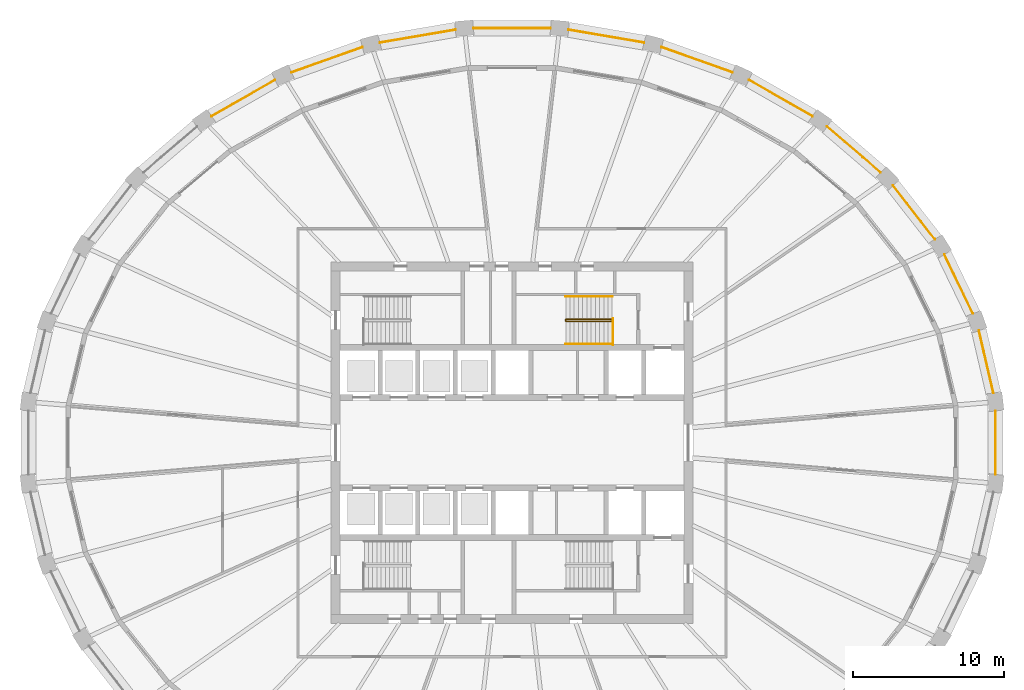
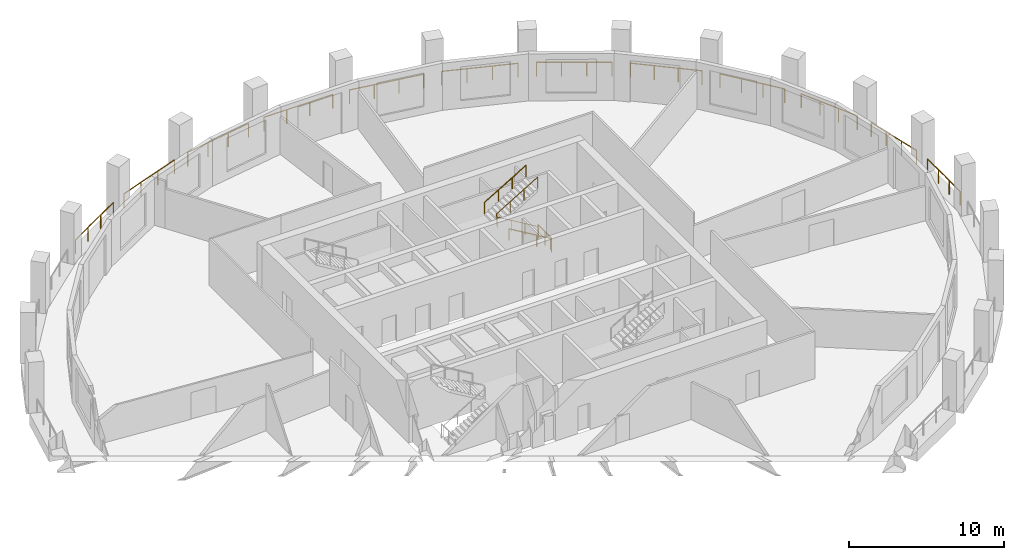
# One storey, part 9 of 10: 16 railings.
"""IFC4 building model written with IfcOpenShell, lengths in metres."""

import ifcopenshell
import ifcopenshell.guid

model = None  # the IFC model being written
_history = None  # IfcOwnerHistory: only IFC2X3 demands one
_inside = {}  # id of a spatial element -> (the spatial element, [elements in it])
_under = {}  # id of a project, library or spatial element -> (it, [spatial elements below it])
_declared = {}  # id of a project -> (the project, [libraries it declares])
_typed = {}  # id of a type object -> (the type object, [elements of that type])
_made_of = {}  # id of a material, layer set ... -> (it, [elements and type objects made of it])


def new_model(schema):
    """Start an empty IFC model of exactly this schema.

    Asked for "IFC4X3", IfcOpenShell would pick the latest addendum, in which some entities
    have other attributes; the version numbers below select the first issue.
    IFC2X3 requires an IfcOwnerHistory on every rooted entity: one is made here for all.
    """
    global model, _history
    if schema == "IFC4X3":
        model = ifcopenshell.file(schema_version=(4, 3, 0, 0))
    else:
        model = ifcopenshell.file(schema=schema)
    _inside.clear()
    _under.clear()
    _declared.clear()
    _typed.clear()
    _made_of.clear()
    _history = None
    if model.schema == "IFC2X3":
        org = make("IfcOrganization", Name="unknown")
        user = make(
            "IfcPersonAndOrganization",
            ThePerson=make("IfcPerson", FamilyName="unknown"),
            TheOrganization=org,
        )
        app = make(
            "IfcApplication",
            ApplicationDeveloper=org,
            Version="unknown",
            ApplicationFullName="unknown",
            ApplicationIdentifier="unknown",
        )
        _history = make(
            "IfcOwnerHistory",
            OwningUser=user,
            OwningApplication=app,
            ChangeAction="ADDED",
            CreationDate=0,
        )
    return model


def make(cls, **values):
    """One entity of the class cls with the attributes given. An attribute that is None is left unset."""
    return model.create_entity(
        cls, **{name: value for name, value in values.items() if value is not None}
    )


def rooted(cls, **values):
    """An entity with a GlobalId (a new one), such as an element, a storey or a relation."""
    return make(cls, GlobalId=ifcopenshell.guid.new(), OwnerHistory=_history, **values)


def si_unit(unit_type, name, prefix=None):
    """IfcSIUnit, for example si_unit("LENGTHUNIT", "METRE", prefix="MILLI")."""
    return make("IfcSIUnit", UnitType=unit_type, Prefix=prefix, Name=name)


def assignment(units):
    """IfcUnitAssignment: the units of a project."""
    return None if units is None else make("IfcUnitAssignment", Units=units)


def point(xyz):
    """IfcCartesianPoint."""
    return None if xyz is None else make("IfcCartesianPoint", Coordinates=xyz)


def direction(xyz):
    """IfcDirection."""
    return None if xyz is None else make("IfcDirection", DirectionRatios=xyz)


def frame(location, z_axis=None, x_axis=None):
    """IfcAxis2Placement3D, a coordinate frame: its origin and axes. An axis left out is left unset."""
    return make(
        "IfcAxis2Placement3D",
        Location=point(location),
        Axis=direction(z_axis),
        RefDirection=direction(x_axis),
    )


def frame_2d(location, x_axis=None):
    """IfcAxis2Placement2D, a coordinate frame in the plane: its origin and x axis."""
    return make(
        "IfcAxis2Placement2D", Location=point(location), RefDirection=direction(x_axis)
    )


def origin():
    """The frame at (0, 0, 0) with its axes left unset."""
    return frame((0.0, 0.0, 0.0))


def origin_2d():
    """The frame at (0, 0) in the plane with its x axis left unset."""
    return frame_2d((0.0, 0.0))


def place(relative_to, where):
    """IfcLocalPlacement: puts the frame where relative to a parent placement (None: the world)."""
    return make(
        "IfcLocalPlacement", PlacementRelTo=relative_to, RelativePlacement=where
    )


def context(
    kind, dimensions, precision=None, world=None, true_north=None, identifier=None
):
    """IfcGeometricRepresentationContext, for example the 3D "Model" context."""
    return make(
        "IfcGeometricRepresentationContext",
        ContextIdentifier=identifier,
        ContextType=kind,
        CoordinateSpaceDimension=dimensions,
        Precision=precision,
        WorldCoordinateSystem=world,
        TrueNorth=true_north,
    )


def subcontext(parent, identifier, kind, view, scale=None):
    """IfcGeometricRepresentationSubContext, for example "Body" below "Model"."""
    return make(
        "IfcGeometricRepresentationSubContext",
        ContextIdentifier=identifier,
        ContextType=kind,
        ParentContext=parent,
        TargetScale=scale,
        TargetView=view,
    )


def project(units=None, contexts=None):
    """IfcProject with its units and contexts."""
    return rooted(
        "IfcProject",
        Name="project",
        RepresentationContexts=contexts,
        UnitsInContext=assignment(units),
    )


def spatial(cls, under=None, at=None, **own):
    """A site, building, storey or space (cls), placed at a placement, below another one or the project."""
    s = rooted(cls, ObjectPlacement=at, **own)
    if under is not None:
        _under.setdefault(under.id(), (under, []))[1].append(s)
    return s


def profile(cls, at=None, kind="AREA", **sizes):
    """A parametric profile (cls). Its sizes go by their IFC names, for example OverallWidth=200.0."""
    return make(cls, ProfileType=kind, Position=at, **sizes)


def circle(**sizes):
    """IfcCircleProfileDef."""
    return profile("IfcCircleProfileDef", **sizes)


def extrude(swept, where, along, depth):
    """IfcExtrudedAreaSolid: the profile swept, set in the frame where, extruded along a direction by depth."""
    return make(
        "IfcExtrudedAreaSolid",
        SweptArea=swept,
        Position=where,
        ExtrudedDirection=direction(along),
        Depth=depth,
    )


def shape(context_of_items, identifier, shape_type, items):
    """IfcShapeRepresentation: the items that make up one representation, for example the "Body"."""
    return make(
        "IfcShapeRepresentation",
        ContextOfItems=context_of_items,
        RepresentationIdentifier=identifier,
        RepresentationType=shape_type,
        Items=items,
    )


def material(Name=None, Category=None):
    """IfcMaterial."""
    return make("IfcMaterial", Name=Name, Category=Category)


def made_of(thing, what):
    """Note that an element or type object is made of a material, layer set ...; save() writes the relation."""
    if what is not None:
        _made_of.setdefault(what.id(), (what, []))[1].append(thing)
    return thing


def type_object(cls, material=None, **own):
    """A type object (cls), such as IfcWallType, which elements share."""
    return made_of(rooted(cls, **own), material)


def element(
    cls,
    number,
    at=None,
    inside=None,
    cuts=None,
    type_object=None,
    material=None,
    context=None,
    identifier="Body",
    shape_type=None,
    held_by="IfcProductDefinitionShape",
    body=None,
    shapes=None,
    **own,
):
    """One element of the class cls, such as IfcWall. Its Tag is "e" and its number.

    at: its placement. inside: the storey or other place that contains it. cuts: it is an
    opening in that element (IfcRelVoidsElement). A single representation is given by context,
    identifier, shape_type and body (its items); several are given by shapes. held_by: the class
    of the entity that holds the representations. save() writes the other relations.
    """
    e = rooted(cls, Tag="e%d" % number, ObjectPlacement=at, **own)
    if body is not None:
        shapes = [shape(context, identifier, shape_type, body)]
    if shapes is not None:
        e.Representation = make(held_by, Representations=shapes)
    if inside is not None:
        _inside.setdefault(inside.id(), (inside, []))[1].append(e)
    if cuts is not None:
        rooted(
            "IfcRelVoidsElement", RelatingBuildingElement=cuts, RelatedOpeningElement=e
        )
    if type_object is not None:
        _typed.setdefault(type_object.id(), (type_object, []))[1].append(e)
    return made_of(e, material)


def aggregate(whole, parts):
    """IfcRelAggregates: a whole, such as a stair, and the parts it consists of."""
    return rooted("IfcRelAggregates", RelatingObject=whole, RelatedObjects=parts)


def save(model, path):
    """Write the relations noted so far, then the file.

    IfcRelAggregates (storeys below a building ...), IfcRelContainedInSpatialStructure (elements
    in a storey), IfcRelDefinesByType, IfcRelAssociatesMaterial and IfcRelDeclares: one each for
    every whole, place, type object, material and project.
    """
    for whole, parts in _under.values():
        aggregate(whole, parts)
    for where, things in _inside.values():
        rooted(
            "IfcRelContainedInSpatialStructure",
            RelatedElements=things,
            RelatingStructure=where,
        )
    for kind, things in _typed.values():
        rooted("IfcRelDefinesByType", RelatedObjects=things, RelatingType=kind)
    for what, things in _made_of.values():
        rooted("IfcRelAssociatesMaterial", RelatedObjects=things, RelatingMaterial=what)
    for by, libraries in _declared.values():
        rooted("IfcRelDeclares", RelatingContext=by, RelatedDefinitions=libraries)
    model.write(path)


model = new_model("IFC4")

# Units and contexts
model_context = context("Model", 3, precision=1e-05, world=origin(), true_north=direction((0.0, 1.0)))
body_context = subcontext(model_context, "Body", "Model", "MODEL_VIEW")
ifc_project = project(units=[si_unit("LENGTHUNIT", "METRE"), si_unit("AREAUNIT", "SQUARE_METRE"), si_unit("VOLUMEUNIT", "CUBIC_METRE"), si_unit("PLANEANGLEUNIT", "RADIAN"), si_unit("MASSUNIT", "GRAM", prefix="KILO")], contexts=[model_context])

# Site, building, storey
site_placement = place(None, origin())
site = spatial("IfcSite", under=ifc_project, at=site_placement, CompositionType="ELEMENT")
building_placement = place(site_placement, origin())
building = spatial("IfcBuilding", under=site, at=building_placement, Name="Halqa Exchange Tower", CompositionType="ELEMENT")
storey_placement = place(building_placement, frame((0.0, 0.0, 202.89990234375)))
storey = spatial("IfcBuildingStorey", under=building, at=storey_placement, Name="L46", CompositionType="ELEMENT", Elevation=202.89990234375)

# Railings
ifc_material = material(Name="Stainless steel", Category="steel")
railing_type_1 = type_object("IfcRailingType", Name="Guard 1100 stainless steel", PredefinedType="GUARDRAIL", material=ifc_material)
railing_1_placement = place(storey_placement, frame((31.946044921875, 3.29296875, 0.0)))
element("IfcRailing", 1, at=railing_1_placement, inside=storey, type_object=railing_type_1, Name="Loggia guard 1", PredefinedType="GUARDRAIL", context=body_context, shape_type="SweptSolid", body=[
    extrude(circle(Radius=0.02392578125, at=origin_2d()), frame((0.0, 0.0, 1.076171875), z_axis=(-0.226079136725, 0.974108938434, 0.0), x_axis=(-0.974108938434, -0.226079136725, 0.0)), (0.0, 0.0, 1.0), 4.253662109375),
    extrude(circle(Radius=0.02099609375, at=origin_2d()), origin(), (0.0, 0.0, 1.0), 1.052001953125),
    extrude(circle(Radius=0.02099609375, at=origin_2d()), frame((-0.320556640625, 1.381103515625, 0.0)), (0.0, 0.0, 1.0), 1.052001953125),
    extrude(circle(Radius=0.02099609375, at=origin_2d()), frame((-0.64111328125, 2.762451171875, 0.0)), (0.0, 0.0, 1.0), 1.052001953125),
    extrude(circle(Radius=0.02099609375, at=origin_2d()), frame((-0.961669921875, 4.1435546875, 0.0)), (0.0, 0.0, 1.0), 1.052001953125),
])
railing_2_placement = place(storey_placement, frame((30.587646484375, 8.561279296875, 0.0)))
element("IfcRailing", 2, at=railing_2_placement, inside=storey, type_object=railing_type_1, Name="Loggia guard 2", PredefinedType="GUARDRAIL", context=body_context, shape_type="SweptSolid", body=[
    extrude(circle(Radius=0.02392578125, at=origin_2d()), frame((0.0, 0.0, 1.076171875), z_axis=(-0.435117192418, 0.900373827287, 0.0), x_axis=(-0.900373827287, -0.435117192418, 0.0)), (0.0, 0.0, 1.0), 4.35791015625),
    extrude(circle(Radius=0.02099609375, at=origin_2d()), origin(), (0.0, 0.0, 1.0), 1.052001953125),
    extrude(circle(Radius=0.02099609375, at=origin_2d()), frame((-0.632080078125, 1.307861328125, 0.0)), (0.0, 0.0, 1.0), 1.052001953125),
    extrude(circle(Radius=0.02099609375, at=origin_2d()), frame((-1.26416015625, 2.615966796875, 0.0)), (0.0, 0.0, 1.0), 1.052001953125),
    extrude(circle(Radius=0.02099609375, at=origin_2d()), frame((-1.896240234375, 3.923828125, 0.0)), (0.0, 0.0, 1.0), 1.052001953125),
])
railing_3_placement = place(storey_placement, frame((28.061279296875, 13.49853515625, 0.0)))
element("IfcRailing", 3, at=railing_3_placement, inside=storey, type_object=railing_type_1, Name="Loggia guard 3", PredefinedType="GUARDRAIL", context=body_context, shape_type="SweptSolid", body=[
    extrude(circle(Radius=0.02392578125, at=origin_2d()), frame((0.0, 0.0, 1.076171875), z_axis=(-0.614783407659, 0.788695988114, 0.0), x_axis=(-0.788695988114, -0.614783407659, 0.0)), (0.0, 0.0, 1.0), 4.510498046875),
    extrude(circle(Radius=0.02099609375, at=origin_2d()), origin(), (0.0, 0.0, 1.0), 1.052001953125),
    extrude(circle(Radius=0.02099609375, at=origin_2d()), frame((-0.92431640625, 1.185791015625, 0.0)), (0.0, 0.0, 1.0), 1.052001953125),
    extrude(circle(Radius=0.02099609375, at=origin_2d()), frame((-1.8486328125, 2.37158203125, 0.0)), (0.0, 0.0, 1.0), 1.052001953125),
    extrude(circle(Radius=0.02099609375, at=origin_2d()), frame((-2.77294921875, 3.557373046875, 0.0)), (0.0, 0.0, 1.0), 1.052001953125),
])
railing_4_placement = place(storey_placement, frame((24.4638671875, 17.919677734375, 0.0)))
element("IfcRailing", 4, at=railing_4_placement, inside=storey, type_object=railing_type_1, Name="Loggia guard 4", PredefinedType="GUARDRAIL", context=body_context, shape_type="SweptSolid", body=[
    extrude(circle(Radius=0.02392578125, at=origin_2d()), frame((0.0, 0.0, 1.076171875), z_axis=(-0.759241889785, 0.65080853774, 0.0), x_axis=(-0.65080853774, -0.759241889785, 0.0)), (0.0, 0.0, 1.0), 4.685546875),
    extrude(circle(Radius=0.02099609375, at=origin_2d()), origin(), (0.0, 0.0, 1.0), 1.052001953125),
    extrude(circle(Radius=0.02099609375, at=origin_2d()), frame((-1.185791015625, 1.016357421875, 0.0)), (0.0, 0.0, 1.0), 1.052001953125),
    extrude(circle(Radius=0.02099609375, at=origin_2d()), frame((-2.37158203125, 2.032958984375, 0.0)), (0.0, 0.0, 1.0), 1.052001953125),
    extrude(circle(Radius=0.02099609375, at=origin_2d()), frame((-3.557373046875, 3.04931640625, 0.0)), (0.0, 0.0, 1.0), 1.052001953125),
])
railing_5_placement = place(storey_placement, frame((19.93017578125, 21.65771484375, 0.0)))
element("IfcRailing", 5, at=railing_5_placement, inside=storey, type_object=railing_type_1, Name="Loggia guard 5", PredefinedType="GUARDRAIL", context=body_context, shape_type="SweptSolid", body=[
    extrude(circle(Radius=0.02392578125, at=origin_2d()), frame((0.0, 0.0, 1.076171875), z_axis=(-0.867769293608, 0.496967255533, 0.0), x_axis=(-0.496967255533, -0.867769293608, 0.0)), (0.0, 0.0, 1.0), 4.855224609375),
    extrude(circle(Radius=0.02099609375, at=origin_2d()), origin(), (0.0, 0.0, 1.0), 1.052001953125),
    extrude(circle(Radius=0.02099609375, at=origin_2d()), frame((-1.404296875, 0.80419921875, 0.0)), (0.0, 0.0, 1.0), 1.052001953125),
    extrude(circle(Radius=0.02099609375, at=origin_2d()), frame((-2.808837890625, 1.608642578125, 0.0)), (0.0, 0.0, 1.0), 1.052001953125),
    extrude(circle(Radius=0.02099609375, at=origin_2d()), frame((-4.213134765625, 2.412841796875, 0.0)), (0.0, 0.0, 1.0), 1.052001953125),
])
railing_6_placement = place(storey_placement, frame((14.630859375, 24.569580078125, 0.0)))
element("IfcRailing", 6, at=railing_6_placement, inside=storey, type_object=railing_type_1, Name="Loggia guard 6", PredefinedType="GUARDRAIL", context=body_context, shape_type="SweptSolid", body=[
    extrude(circle(Radius=0.02392578125, at=origin_2d()), frame((0.0, 0.0, 1.076171875), z_axis=(-0.942371589738, 0.334568060123, 0.0), x_axis=(-0.334568060123, -0.942371589738, 0.0)), (0.0, 0.0, 1.0), 4.99560546875),
    extrude(circle(Radius=0.02099609375, at=origin_2d()), origin(), (0.0, 0.0, 1.0), 1.052001953125),
    extrude(circle(Radius=0.02099609375, at=origin_2d()), frame((-1.5693359375, 0.55712890625, 0.0)), (0.0, 0.0, 1.0), 1.052001953125),
    extrude(circle(Radius=0.02099609375, at=origin_2d()), frame((-3.138427734375, 1.1142578125, 0.0)), (0.0, 0.0, 1.0), 1.052001953125),
    extrude(circle(Radius=0.02099609375, at=origin_2d()), frame((-4.707763671875, 1.67138671875, 0.0)), (0.0, 0.0, 1.0), 1.052001953125),
])
railing_7_placement = place(storey_placement, frame((8.766357421875, 26.54248046875, 0.0)))
element("IfcRailing", 7, at=railing_7_placement, inside=storey, type_object=railing_type_1, Name="Loggia guard 7", PredefinedType="GUARDRAIL", context=body_context, shape_type="SweptSolid", body=[
    extrude(circle(Radius=0.02392578125, at=origin_2d()), frame((0.0, 0.0, 1.076171875), z_axis=(-0.985769609588, 0.16810198337, 0.0), x_axis=(-0.16810198337, -0.985769609588, 0.0)), (0.0, 0.0, 1.0), 5.087646484375),
    extrude(circle(Radius=0.02099609375, at=origin_2d()), origin(), (0.0, 0.0, 1.0), 1.052001953125),
    extrude(circle(Radius=0.02099609375, at=origin_2d()), frame((-1.671630859375, 0.28515625, 0.0)), (0.0, 0.0, 1.0), 1.052001953125),
    extrude(circle(Radius=0.02099609375, at=origin_2d()), frame((-3.343505859375, 0.570068359375, 0.0)), (0.0, 0.0, 1.0), 1.052001953125),
    extrude(circle(Radius=0.02099609375, at=origin_2d()), frame((-5.01513671875, 0.855224609375, 0.0)), (0.0, 0.0, 1.0), 1.052001953125),
])
railing_8_placement = place(storey_placement, frame((2.559814453125, 27.498291015625, 0.0)))
element("IfcRailing", 8, at=railing_8_placement, inside=storey, type_object=railing_type_1, Name="Loggia guard 8", PredefinedType="GUARDRAIL", context=body_context, shape_type="SweptSolid", body=[
    extrude(circle(Radius=0.02392578125, at=origin_2d()), frame((0.0, 0.0, 1.076171875), z_axis=(-1.0, 0.0, 0.0), x_axis=(0.0, -1.0, 0.0)), (0.0, 0.0, 1.0), 5.11962890625),
    extrude(circle(Radius=0.02099609375, at=origin_2d()), origin(), (0.0, 0.0, 1.0), 1.052001953125),
    extrude(circle(Radius=0.02099609375, at=origin_2d()), frame((-1.70654296875, 0.0, 0.0)), (0.0, 0.0, 1.0), 1.052001953125),
    extrude(circle(Radius=0.02099609375, at=origin_2d()), frame((-3.4130859375, 0.0, 0.0)), (0.0, 0.0, 1.0), 1.052001953125),
    extrude(circle(Radius=0.02099609375, at=origin_2d()), frame((-5.11962890625, 0.0, 0.0)), (0.0, 0.0, 1.0), 1.052001953125),
])
railing_9_placement = place(storey_placement, frame((-3.751220703125, 27.397705078125, 0.0)))
element("IfcRailing", 9, at=railing_9_placement, inside=storey, type_object=railing_type_1, Name="Loggia guard 9", PredefinedType="GUARDRAIL", context=body_context, shape_type="SweptSolid", body=[
    extrude(circle(Radius=0.02392578125, at=origin_2d()), frame((0.0, 0.0, 1.076171875), z_axis=(-0.985769609588, -0.16810198337, 0.0), x_axis=(0.16810198337, -0.985769609588, 0.0)), (0.0, 0.0, 1.0), 5.087646484375),
    extrude(circle(Radius=0.02099609375, at=origin_2d()), origin(), (0.0, 0.0, 1.0), 1.052001953125),
    extrude(circle(Radius=0.02099609375, at=origin_2d()), frame((-1.671630859375, -0.28515625, 0.0)), (0.0, 0.0, 1.0), 1.052001953125),
    extrude(circle(Radius=0.02099609375, at=origin_2d()), frame((-3.343505859375, -0.570068359375, 0.0)), (0.0, 0.0, 1.0), 1.052001953125),
    extrude(circle(Radius=0.02099609375, at=origin_2d()), frame((-5.01513671875, -0.855224609375, 0.0)), (0.0, 0.0, 1.0), 1.052001953125),
])
railing_10_placement = place(storey_placement, frame((-9.923095703125, 26.240966796875, 0.0)))
element("IfcRailing", 10, at=railing_10_placement, inside=storey, type_object=railing_type_1, Name="Loggia guard 10", PredefinedType="GUARDRAIL", context=body_context, shape_type="SweptSolid", body=[
    extrude(circle(Radius=0.02392578125, at=origin_2d()), frame((0.0, 0.0, 1.076171875), z_axis=(-0.942371589738, -0.334568060123, 0.0), x_axis=(0.334568060123, -0.942371589738, 0.0)), (0.0, 0.0, 1.0), 4.99560546875),
    extrude(circle(Radius=0.02099609375, at=origin_2d()), origin(), (0.0, 0.0, 1.0), 1.052001953125),
    extrude(circle(Radius=0.02099609375, at=origin_2d()), frame((-1.5693359375, -0.55712890625, 0.0)), (0.0, 0.0, 1.0), 1.052001953125),
    extrude(circle(Radius=0.02099609375, at=origin_2d()), frame((-3.138427734375, -1.1142578125, 0.0)), (0.0, 0.0, 1.0), 1.052001953125),
    extrude(circle(Radius=0.02099609375, at=origin_2d()), frame((-4.707763671875, -1.67138671875, 0.0)), (0.0, 0.0, 1.0), 1.052001953125),
])
railing_11_placement = place(storey_placement, frame((-15.717041015625, 24.070556640625, 0.0)))
element("IfcRailing", 11, at=railing_11_placement, inside=storey, type_object=railing_type_1, Name="Loggia guard 11", PredefinedType="GUARDRAIL", context=body_context, shape_type="SweptSolid", body=[
    extrude(circle(Radius=0.02392578125, at=origin_2d()), frame((0.0, 0.0, 1.076171875), z_axis=(-0.867769293608, -0.496967255533, 0.0), x_axis=(0.496967255533, -0.867769293608, 0.0)), (0.0, 0.0, 1.0), 4.855224609375),
    extrude(circle(Radius=0.02099609375, at=origin_2d()), origin(), (0.0, 0.0, 1.0), 1.052001953125),
    extrude(circle(Radius=0.02099609375, at=origin_2d()), frame((-1.404296875, -0.80419921875, 0.0)), (0.0, 0.0, 1.0), 1.052001953125),
    extrude(circle(Radius=0.02099609375, at=origin_2d()), frame((-2.808837890625, -1.608642578125, 0.0)), (0.0, 0.0, 1.0), 1.052001953125),
    extrude(circle(Radius=0.02099609375, at=origin_2d()), frame((-4.213134765625, -2.412841796875, 0.0)), (0.0, 0.0, 1.0), 1.052001953125),
])
railing_12_placement = place(storey_placement, frame((32.08154296875, -2.1083984375, 0.0)))
element("IfcRailing", 12, at=railing_12_placement, inside=storey, type_object=railing_type_1, Name="Loggia guard 32", PredefinedType="GUARDRAIL", context=body_context, shape_type="SweptSolid", body=[
    extrude(circle(Radius=0.02392578125, at=origin_2d()), frame((0.0, 0.0, 1.076171875), z_axis=(0.0, 1.0, 0.0), x_axis=(-1.0, 0.0, 0.0)), (0.0, 0.0, 1.0), 4.216796875),
    extrude(circle(Radius=0.02099609375, at=origin_2d()), origin(), (0.0, 0.0, 1.0), 1.052001953125),
    extrude(circle(Radius=0.02099609375, at=origin_2d()), frame((0.0, 1.405517578125, 0.0)), (0.0, 0.0, 1.0), 1.052001953125),
    extrude(circle(Radius=0.02099609375, at=origin_2d()), frame((0.0, 2.811279296875, 0.0)), (0.0, 0.0, 1.0), 1.052001953125),
    extrude(circle(Radius=0.02099609375, at=origin_2d()), frame((0.0, 4.216796875, 0.0)), (0.0, 0.0, 1.0), 1.052001953125),
])
railing_type_2 = type_object("IfcRailingType", Name="Stair handrail 900", PredefinedType="HANDRAIL", material=ifc_material)
railing_13_placement = place(storey_placement, frame((6.64990234375, 8.06005859375, 0.166748046875)))
element("IfcRailing", 13, at=railing_13_placement, inside=storey, type_object=railing_type_2, Name="Handrail ST2.1", PredefinedType="HANDRAIL", context=body_context, shape_type="SweptSolid", body=[
    extrude(circle(Radius=0.02392578125, at=origin_2d()), frame((0.0, 0.0, 0.8759765625), z_axis=(-0.859290745958, 0.0, 0.51148745235), x_axis=(0.0, -1.0, 0.0)), (0.0, 0.0, 1.0), 3.584228515625),
    extrude(circle(Radius=0.02392578125, at=origin_2d()), frame((-3.079833984375, 0.0, 2.708984375), z_axis=(0.0, 0.614500226555, 0.788916644243), x_axis=(-1.0, 0.0, 0.0)), (0.0, 0.0, 1.0), 0.21142578125),
    extrude(circle(Radius=0.02392578125, at=origin_2d()), frame((-3.079833984375, 0.1298828125, 2.8759765625), z_axis=(0.859290745958, 0.0, 0.51148745235), x_axis=(0.0, 1.0, 0.0)), (0.0, 0.0, 1.0), 3.584228515625),
    extrude(circle(Radius=0.02099609375, at=origin_2d()), origin(), (0.0, 0.0, 1.0), 0.851806640625),
    extrude(circle(Radius=0.02099609375, at=origin_2d()), frame((-1.026611328125, 0.0, 0.611083984375)), (0.0, 0.0, 1.0), 0.851806640625),
    extrude(circle(Radius=0.02099609375, at=origin_2d()), frame((-2.05322265625, 0.0, 1.22216796875)), (0.0, 0.0, 1.0), 0.851806640625),
    extrude(circle(Radius=0.02099609375, at=origin_2d()), frame((-3.079833984375, 0.0, 1.833251953125)), (0.0, 0.0, 1.0), 0.851806640625),
    extrude(circle(Radius=0.02099609375, at=origin_2d()), frame((-3.079833984375, 0.1298828125, 2.0)), (0.0, 0.0, 1.0), 0.851806640625),
    extrude(circle(Radius=0.02099609375, at=origin_2d()), frame((-2.05322265625, 0.1298828125, 2.611083984375)), (0.0, 0.0, 1.0), 0.851806640625),
    extrude(circle(Radius=0.02099609375, at=origin_2d()), frame((-1.026611328125, 0.1298828125, 3.22216796875)), (0.0, 0.0, 1.0), 0.851806640625),
    extrude(circle(Radius=0.02099609375, at=origin_2d()), frame((0.0, 0.1298828125, 3.833251953125)), (0.0, 0.0, 1.0), 0.851806640625),
])
railing_14_placement = place(storey_placement, frame((6.64990234375, 6.550048828125, 0.166748046875)))
element("IfcRailing", 14, at=railing_14_placement, inside=storey, type_object=railing_type_2, Name="Handrail ST2.2", PredefinedType="HANDRAIL", context=body_context, shape_type="SweptSolid", body=[
    extrude(circle(Radius=0.02392578125, at=origin_2d()), frame((0.0, 0.0, 0.8759765625), z_axis=(-0.859290745958, 0.0, 0.51148745235), x_axis=(0.0, -1.0, 0.0)), (0.0, 0.0, 1.0), 3.584228515625),
    extrude(circle(Radius=0.02099609375, at=origin_2d()), origin(), (0.0, 0.0, 1.0), 0.851806640625),
    extrude(circle(Radius=0.02099609375, at=origin_2d()), frame((-1.026611328125, 0.0, 0.611083984375)), (0.0, 0.0, 1.0), 0.851806640625),
    extrude(circle(Radius=0.02099609375, at=origin_2d()), frame((-2.05322265625, 0.0, 1.22216796875)), (0.0, 0.0, 1.0), 0.851806640625),
    extrude(circle(Radius=0.02099609375, at=origin_2d()), frame((-3.079833984375, 0.0, 1.833251953125)), (0.0, 0.0, 1.0), 0.851806640625),
])
railing_15_placement = place(storey_placement, frame((3.570068359375, 9.699951171875, 2.166748046875)))
element("IfcRailing", 15, at=railing_15_placement, inside=storey, type_object=railing_type_2, Name="Handrail ST2.3", PredefinedType="HANDRAIL", context=body_context, shape_type="SweptSolid", body=[
    extrude(circle(Radius=0.02392578125, at=origin_2d()), frame((0.0, 0.0, 0.8759765625), z_axis=(0.859290745958, 0.0, 0.51148745235), x_axis=(0.0, 1.0, 0.0)), (0.0, 0.0, 1.0), 3.584228515625),
    extrude(circle(Radius=0.02099609375, at=origin_2d()), origin(), (0.0, 0.0, 1.0), 0.851806640625),
    extrude(circle(Radius=0.02099609375, at=origin_2d()), frame((1.026611328125, 0.0, 0.611083984375)), (0.0, 0.0, 1.0), 0.851806640625),
    extrude(circle(Radius=0.02099609375, at=origin_2d()), frame((2.05322265625, 0.0, 1.22216796875)), (0.0, 0.0, 1.0), 0.851806640625),
    extrude(circle(Radius=0.02099609375, at=origin_2d()), frame((3.079833984375, 0.0, 1.833251953125)), (0.0, 0.0, 1.0), 0.851806640625),
])
railing_type_3 = type_object("IfcRailingType", Name="Stair well guard 1100", PredefinedType="GUARDRAIL", material=ifc_material)
railing_16_placement = place(storey_placement, frame((6.699951171875, 6.5, 0.0)))
element("IfcRailing", 16, at=railing_16_placement, inside=storey, type_object=railing_type_3, Name="Guard ST2 well", PredefinedType="GUARDRAIL", context=body_context, shape_type="SweptSolid", body=[
    extrude(circle(Radius=0.02392578125, at=origin_2d()), frame((0.0, 0.0, 1.076171875), z_axis=(0.0, 1.0, 0.0), x_axis=(-1.0, 0.0, 0.0)), (0.0, 0.0, 1.0), 1.75),
    extrude(circle(Radius=0.02099609375, at=origin_2d()), origin(), (0.0, 0.0, 1.0), 1.052001953125),
    extrude(circle(Radius=0.02099609375, at=origin_2d()), frame((0.0, 0.875, 0.0)), (0.0, 0.0, 1.0), 1.052001953125),
    extrude(circle(Radius=0.02099609375, at=origin_2d()), frame((0.0, 1.75, 0.0)), (0.0, 0.0, 1.0), 1.052001953125),
])

save(model, "model.ifc")
